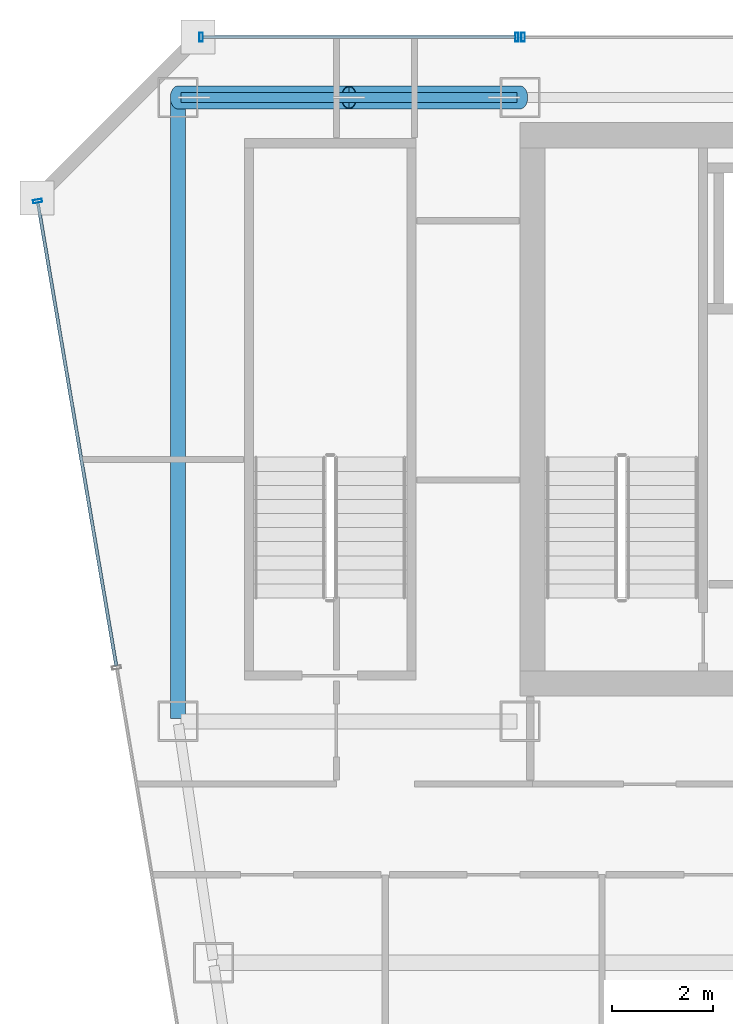
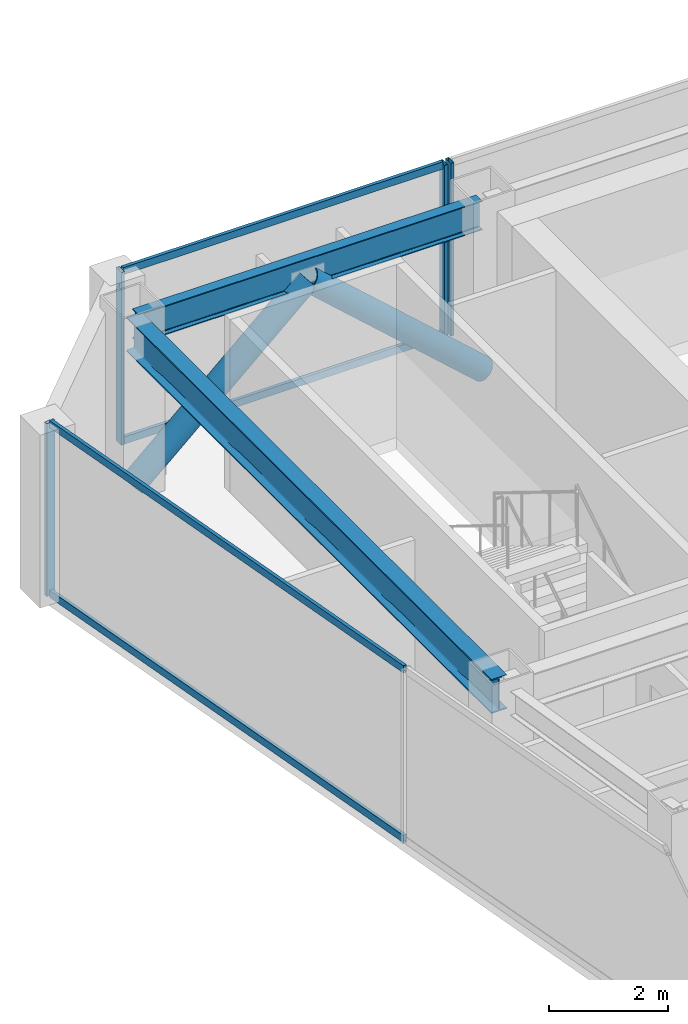
# One storey, part 23 of 35: 10 members, 2 beams, 3 elements without a shape of their own.
"""IFC4 building model written with IfcOpenShell, lengths in metres."""

from ifc_helpers import new_model, si_unit, direction, frame, origin, origin_2d, place, context, subcontext, project, spatial, hollow_rectangle, hollow_circle, i_section, extrude, material, material_profile, profile_set, type_object, element, aggregate, save


model = new_model("IFC4")

# Units and contexts
model_context = context("Model", 3, precision=1e-05, world=origin(), true_north=direction((0.0, 1.0)))
body_context = subcontext(model_context, "Body", "Model", "MODEL_VIEW")
ifc_project = project(units=[si_unit("LENGTHUNIT", "METRE"), si_unit("AREAUNIT", "SQUARE_METRE"), si_unit("VOLUMEUNIT", "CUBIC_METRE"), si_unit("PLANEANGLEUNIT", "RADIAN"), si_unit("MASSUNIT", "GRAM", prefix="KILO")], contexts=[model_context])

# Site, building, storey
site_placement = place(None, origin())
site = spatial("IfcSite", under=ifc_project, at=site_placement, CompositionType="ELEMENT")
building_placement = place(site_placement, origin())
building = spatial("IfcBuilding", under=site, at=building_placement, Name="Saevonmaru Cultural Tower", CompositionType="ELEMENT")
storey_placement = place(building_placement, frame((0.0, 0.0, 194.199951171875)))
storey = spatial("IfcBuildingStorey", under=building, at=storey_placement, Name="L44", CompositionType="ELEMENT", Elevation=194.199951171875)

# Beams
ifc_material_1 = material(Name="Steel SM355", Category="steel")
ifc_material_profile_1 = material_profile(ifc_material_1, i_section(OverallWidth=0.300048828125, OverallDepth=0.699951171875, WebThickness=0.012939453125, FlangeThickness=0.02392578125, FilletRadius=0.02587890625, at=origin_2d()), Name="H-700x300x13x24")
ifc_profile_set_1 = profile_set([ifc_material_profile_1], Name="Steel SM355")
beam_type_1 = type_object("IfcBeamType", Name="BM-G-H700", PredefinedType="BEAM", material=ifc_profile_set_1)
beam_1_placement = place(storey_placement, frame((6.800048828125, 54.739990234375, 3.199951171875), z_axis=(0.0, -1.0, 0.0), x_axis=(1.0, 0.0, 0.0)))
element("IfcBeam", 1, at=beam_1_placement, inside=storey, type_object=beam_type_1, Name="L44 Spine Transverse Girder W", PredefinedType="BEAM", context=body_context, shape_type="SweptSolid", body=[
    extrude(i_section(OverallWidth=0.300048828125, OverallDepth=0.699951171875, WebThickness=0.012939453125, FlangeThickness=0.02392578125, FilletRadius=0.02587890625, at=origin_2d()), origin(), (0.0, 0.0, 1.0), 12.280029296875),
])
ifc_material_profile_2 = material_profile(ifc_material_1, i_section(OverallWidth=0.199951171875, OverallDepth=0.60009765625, WebThickness=0.010986328125, FlangeThickness=0.01708984375, FilletRadius=0.02197265625, at=origin_2d()), Name="H-600x200x11x17")
ifc_profile_set_2 = profile_set([ifc_material_profile_2], Name="Steel SM355")
beam_type_2 = type_object("IfcBeamType", Name="BM-SP-H600", PredefinedType="SPANDREL", material=ifc_profile_set_2)
beam_2_placement = place(storey_placement, frame((6.860107421875, 54.800048828125, 3.25), z_axis=(1.0, 0.0, 0.0), x_axis=(0.0, 1.0, 0.0)))
element("IfcBeam", 2, at=beam_2_placement, inside=storey, type_object=beam_type_2, Name="L44 North Spine Girder 1", PredefinedType="SPANDREL", context=body_context, shape_type="SweptSolid", body=[
    extrude(i_section(OverallWidth=0.199951171875, OverallDepth=0.60009765625, WebThickness=0.010986328125, FlangeThickness=0.01708984375, FilletRadius=0.02197265625, at=origin_2d()), origin(), (0.0, 0.0, 1.0), 6.679931640625),
])

# Members
ifc_material_2 = material(Name="Steel SM420", Category="steel")
ifc_material_profile_3 = material_profile(ifc_material_2, hollow_circle(Radius=0.228515625, WallThickness=0.02001953125, at=origin_2d()), Name="CHS-457.2x20")
ifc_profile_set_3 = profile_set([ifc_material_profile_3], Name="Steel SM420")
member_type_1 = type_object("IfcMemberType", Name="MB-PBR-CHS457", PredefinedType="BRACE", material=ifc_profile_set_3)
for number, where, z_axis, x_axis, name in (
    (3, (6.800048828125, 54.800048828125, 0.02001953125), (0.744366945704, 0.0, 0.667770806597), (0.0, 1.0, 0.0), "L44 Perimeter Braced-Tube Diagonal WN1"),
    (4, (13.60009765625, 54.800048828125, 0.02001953125), (-0.744390779303, 0.0, 0.66774423823), (0.0, -1.0, 0.0), "L44 Perimeter Braced-Tube Diagonal WN2"),
):
    element("IfcMember", number, at=place(storey_placement, frame(where, z_axis=z_axis, x_axis=x_axis)), inside=storey, type_object=member_type_1, Name=name, PredefinedType="BRACE", context=body_context, shape_type="SweptSolid", body=[
        extrude(hollow_circle(Radius=0.228515625, WallThickness=0.02001953125, at=origin_2d()), origin(), (0.0, 0.0, 1.0), 4.567626953125),
    ])

# Curtain wall, member
ifc_material_3 = material(Name="Satin Bronze Anodised Aluminium", Category="aluminium")
curtain_wall_type = type_object("IfcCurtainWallType", Name="CW-TYP-B", PredefinedType="NOTDEFINED", material=ifc_material_3)
curtain_wall_1_placement = place(storey_placement, origin())
curtain_wall_1 = element("IfcCurtainWall", 5, at=curtain_wall_1_placement, inside=storey, type_object=curtain_wall_type, Name="L44 North Spine Unitised Curtain Wall E10B", PredefinedType="NOTDEFINED")
ifc_material_profile_4 = material_profile(ifc_material_3, hollow_rectangle(XDim=0.06494140625, YDim=0.179931640625, WallThickness=0.00390625, at=origin_2d()), Name="ALU-MULL-180x65x4")
ifc_profile_set_4 = profile_set([ifc_material_profile_4], Name="Satin Bronze Anodised Aluminium")
member_type_2 = type_object("IfcMemberType", Name="ML-CW-180x65", PredefinedType="MULLION", material=ifc_profile_set_4)
member_1_placement = place(storey_placement, frame((13.659912109375, 56.0, 0.0), z_axis=(0.0, 0.0, 1.0), x_axis=(-1.0, 0.0, 0.0)))
member_1 = element("IfcMember", 6, at=member_1_placement, type_object=member_type_2, Name="CW-TW-L44-E10B mullion 4", PredefinedType="MULLION", context=body_context, shape_type="SweptSolid", body=[
    extrude(hollow_rectangle(XDim=0.06494140625, YDim=0.179931640625, WallThickness=0.00390625, at=origin_2d()), origin(), (0.0, 0.0, 1.0), 3.550048828125),
])
aggregate(curtain_wall_1, [member_1])

# Curtain wall, members
curtain_wall_2_placement = place(storey_placement, origin())
curtain_wall_2 = element("IfcCurtainWall", 7, at=curtain_wall_2_placement, inside=storey, type_object=curtain_wall_type, Name="L44 West Braced Bay Spandrel Curtain Wall E10C", PredefinedType="NOTDEFINED")
member_2_placement = place(storey_placement, frame((13.5400390625, 56.0, 0.0), z_axis=(0.0, 0.0, 1.0), x_axis=(-1.0, 0.0, 0.0)))
member_2 = element("IfcMember", 8, at=member_2_placement, type_object=member_type_2, Name="CW-TW-L44-E10C mullion 1", PredefinedType="MULLION", context=body_context, shape_type="SweptSolid", body=[
    extrude(hollow_rectangle(XDim=0.06494140625, YDim=0.179931640625, WallThickness=0.00390625, at=origin_2d()), origin(), (0.0, 0.0, 1.0), 3.550048828125),
])
member_3_placement = place(storey_placement, frame((7.260009765625, 56.0, 0.0), z_axis=(0.0, 0.0, 1.0), x_axis=(-1.0, 0.0, 0.0)))
member_3 = element("IfcMember", 9, at=member_3_placement, type_object=member_type_2, Name="CW-TW-L44-E10C mullion 2", PredefinedType="MULLION", context=body_context, shape_type="SweptSolid", body=[
    extrude(hollow_rectangle(XDim=0.06494140625, YDim=0.179931640625, WallThickness=0.00390625, at=origin_2d()), origin(), (0.0, 0.0, 1.0), 3.550048828125),
])

# Curtain wall, member
curtain_wall_3_placement = place(storey_placement, origin())
curtain_wall_3 = element("IfcCurtainWall", 10, at=curtain_wall_3_placement, inside=storey, type_object=curtain_wall_type, Name="L44 Unitised Curtain Wall E12", PredefinedType="NOTDEFINED")
member_4_placement = place(storey_placement, frame((4.010009765625, 52.74072265625, 0.0), z_axis=(0.0, 0.0, 1.0), x_axis=(0.16692169721, -0.985970155228, 0.0)))
member_4 = element("IfcMember", 11, at=member_4_placement, type_object=member_type_2, Name="CW-TW-L44-E12 mullion 1", PredefinedType="MULLION", context=body_context, shape_type="SweptSolid", body=[
    extrude(hollow_rectangle(XDim=0.06494140625, YDim=0.179931640625, WallThickness=0.00390625, at=origin_2d()), origin(), (0.0, 0.0, 1.0), 3.550048828125),
])

# Member
ifc_material_profile_5 = material_profile(ifc_material_3, hollow_rectangle(XDim=0.06494140625, YDim=0.14990234375, WallThickness=0.00390625, at=origin_2d()), Name="ALU-TRAN-150x65x4")
ifc_profile_set_5 = profile_set([ifc_material_profile_5], Name="Satin Bronze Anodised Aluminium")
member_type_3 = type_object("IfcMemberType", Name="TR-CW-150x65", PredefinedType="USERDEFINED", material=ifc_profile_set_5)
member_5_placement = place(storey_placement, frame((13.507568359375, 56.0, 0.032470703125), z_axis=(-1.0, 0.0, 0.0), x_axis=(0.0, -1.0, 0.0)))
member_5 = element("IfcMember", 12, at=member_5_placement, type_object=member_type_3, Name="CW-TW-L44-E10C transom 1.1", ObjectType="TRANSOM", PredefinedType="USERDEFINED", context=body_context, shape_type="SweptSolid", body=[
    extrude(hollow_rectangle(XDim=0.06494140625, YDim=0.14990234375, WallThickness=0.00390625, at=origin_2d()), origin(), (0.0, 0.0, 1.0), 6.215087890625),
])

member_6_placement = place(storey_placement, frame((13.507568359375, 56.0, 3.517578125), z_axis=(-1.0, 0.0, 0.0), x_axis=(0.0, -1.0, 0.0)))
member_6 = element("IfcMember", 13, at=member_6_placement, type_object=member_type_3, Name="CW-TW-L44-E10C transom 1.2", ObjectType="TRANSOM", PredefinedType="USERDEFINED", context=body_context, shape_type="SweptSolid", body=[
    extrude(hollow_rectangle(XDim=0.06494140625, YDim=0.14990234375, WallThickness=0.00390625, at=origin_2d()), origin(), (0.0, 0.0, 1.0), 6.215087890625),
])

aggregate(curtain_wall_2, [member_2, member_3, member_5, member_6])

member_7_placement = place(storey_placement, frame((4.015380859375, 52.708740234375, 0.032470703125), z_axis=(0.166921263871, -0.985970228591, 0.0), x_axis=(0.985970228591, 0.166921263871, 0.0)))
member_7 = element("IfcMember", 14, at=member_7_placement, type_object=member_type_3, Name="CW-TW-L44-E12 transom 1.1", ObjectType="TRANSOM", PredefinedType="USERDEFINED", context=body_context, shape_type="SweptSolid", body=[
    extrude(hollow_rectangle(XDim=0.06494140625, YDim=0.14990234375, WallThickness=0.00390625, at=origin_2d()), origin(), (0.0, 0.0, 1.0), 9.33740234375),
])

member_8_placement = place(storey_placement, frame((4.015380859375, 52.708740234375, 3.517578125), z_axis=(0.166921263871, -0.985970228591, 0.0), x_axis=(0.985970228591, 0.166921263871, 0.0)))
member_8 = element("IfcMember", 15, at=member_8_placement, type_object=member_type_3, Name="CW-TW-L44-E12 transom 1.2", ObjectType="TRANSOM", PredefinedType="USERDEFINED", context=body_context, shape_type="SweptSolid", body=[
    extrude(hollow_rectangle(XDim=0.06494140625, YDim=0.14990234375, WallThickness=0.00390625, at=origin_2d()), origin(), (0.0, 0.0, 1.0), 9.33740234375),
])

aggregate(curtain_wall_3, [member_4, member_7, member_8])

save(model, "model.ifc")
